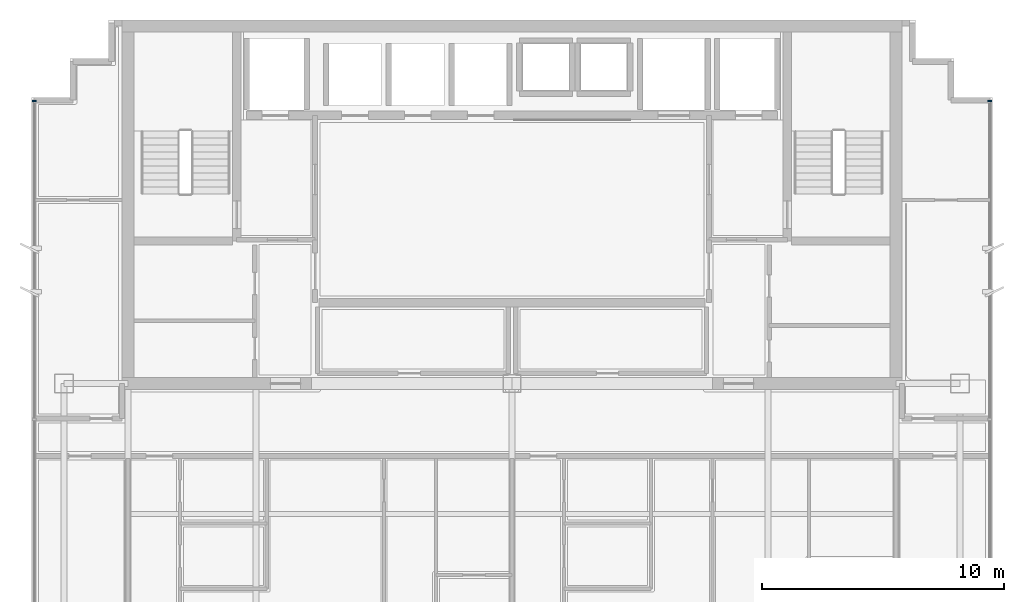
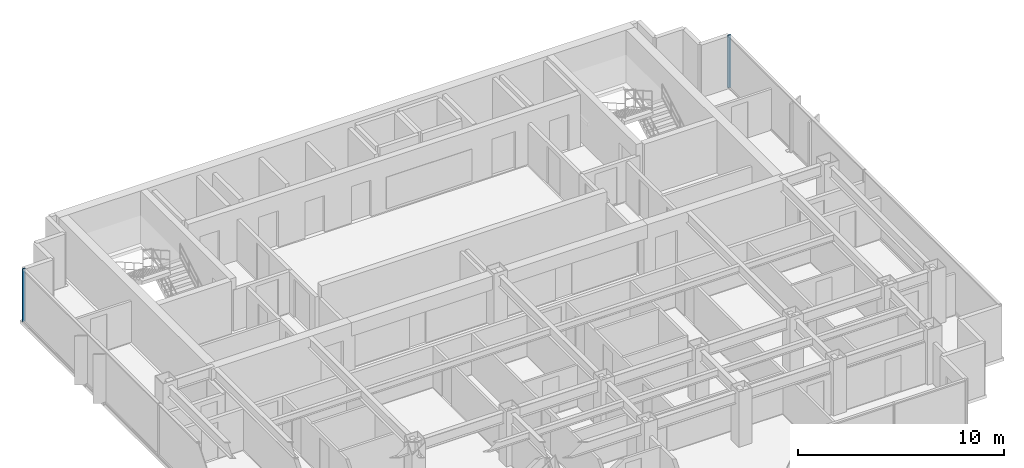
# One storey, part 5 of 12: 2 members, 2 elements without a shape of their own.
"""IFC4 building model written with IfcOpenShell, lengths in metres."""

import ifcopenshell
import ifcopenshell.guid

model = None  # the IFC model being written
_history = None  # IfcOwnerHistory: only IFC2X3 demands one
_inside = {}  # id of a spatial element -> (the spatial element, [elements in it])
_under = {}  # id of a project, library or spatial element -> (it, [spatial elements below it])
_declared = {}  # id of a project -> (the project, [libraries it declares])
_typed = {}  # id of a type object -> (the type object, [elements of that type])
_made_of = {}  # id of a material, layer set ... -> (it, [elements and type objects made of it])


def new_model(schema):
    """Start an empty IFC model of exactly this schema.

    Asked for "IFC4X3", IfcOpenShell would pick the latest addendum, in which some entities
    have other attributes; the version numbers below select the first issue.
    IFC2X3 requires an IfcOwnerHistory on every rooted entity: one is made here for all.
    """
    global model, _history
    if schema == "IFC4X3":
        model = ifcopenshell.file(schema_version=(4, 3, 0, 0))
    else:
        model = ifcopenshell.file(schema=schema)
    _inside.clear()
    _under.clear()
    _declared.clear()
    _typed.clear()
    _made_of.clear()
    _history = None
    if model.schema == "IFC2X3":
        org = make("IfcOrganization", Name="unknown")
        user = make(
            "IfcPersonAndOrganization",
            ThePerson=make("IfcPerson", FamilyName="unknown"),
            TheOrganization=org,
        )
        app = make(
            "IfcApplication",
            ApplicationDeveloper=org,
            Version="unknown",
            ApplicationFullName="unknown",
            ApplicationIdentifier="unknown",
        )
        _history = make(
            "IfcOwnerHistory",
            OwningUser=user,
            OwningApplication=app,
            ChangeAction="ADDED",
            CreationDate=0,
        )
    return model


def make(cls, **values):
    """One entity of the class cls with the attributes given. An attribute that is None is left unset."""
    return model.create_entity(
        cls, **{name: value for name, value in values.items() if value is not None}
    )


def rooted(cls, **values):
    """An entity with a GlobalId (a new one), such as an element, a storey or a relation."""
    return make(cls, GlobalId=ifcopenshell.guid.new(), OwnerHistory=_history, **values)


def si_unit(unit_type, name, prefix=None):
    """IfcSIUnit, for example si_unit("LENGTHUNIT", "METRE", prefix="MILLI")."""
    return make("IfcSIUnit", UnitType=unit_type, Prefix=prefix, Name=name)


def assignment(units):
    """IfcUnitAssignment: the units of a project."""
    return None if units is None else make("IfcUnitAssignment", Units=units)


def point(xyz):
    """IfcCartesianPoint."""
    return None if xyz is None else make("IfcCartesianPoint", Coordinates=xyz)


def direction(xyz):
    """IfcDirection."""
    return None if xyz is None else make("IfcDirection", DirectionRatios=xyz)


def frame(location, z_axis=None, x_axis=None):
    """IfcAxis2Placement3D, a coordinate frame: its origin and axes. An axis left out is left unset."""
    return make(
        "IfcAxis2Placement3D",
        Location=point(location),
        Axis=direction(z_axis),
        RefDirection=direction(x_axis),
    )


def frame_2d(location, x_axis=None):
    """IfcAxis2Placement2D, a coordinate frame in the plane: its origin and x axis."""
    return make(
        "IfcAxis2Placement2D", Location=point(location), RefDirection=direction(x_axis)
    )


def origin():
    """The frame at (0, 0, 0) with its axes left unset."""
    return frame((0.0, 0.0, 0.0))


def origin_2d():
    """The frame at (0, 0) in the plane with its x axis left unset."""
    return frame_2d((0.0, 0.0))


def place(relative_to, where):
    """IfcLocalPlacement: puts the frame where relative to a parent placement (None: the world)."""
    return make(
        "IfcLocalPlacement", PlacementRelTo=relative_to, RelativePlacement=where
    )


def context(
    kind, dimensions, precision=None, world=None, true_north=None, identifier=None
):
    """IfcGeometricRepresentationContext, for example the 3D "Model" context."""
    return make(
        "IfcGeometricRepresentationContext",
        ContextIdentifier=identifier,
        ContextType=kind,
        CoordinateSpaceDimension=dimensions,
        Precision=precision,
        WorldCoordinateSystem=world,
        TrueNorth=true_north,
    )


def subcontext(parent, identifier, kind, view, scale=None):
    """IfcGeometricRepresentationSubContext, for example "Body" below "Model"."""
    return make(
        "IfcGeometricRepresentationSubContext",
        ContextIdentifier=identifier,
        ContextType=kind,
        ParentContext=parent,
        TargetScale=scale,
        TargetView=view,
    )


def project(units=None, contexts=None):
    """IfcProject with its units and contexts."""
    return rooted(
        "IfcProject",
        Name="project",
        RepresentationContexts=contexts,
        UnitsInContext=assignment(units),
    )


def spatial(cls, under=None, at=None, **own):
    """A site, building, storey or space (cls), placed at a placement, below another one or the project."""
    s = rooted(cls, ObjectPlacement=at, **own)
    if under is not None:
        _under.setdefault(under.id(), (under, []))[1].append(s)
    return s


def profile(cls, at=None, kind="AREA", **sizes):
    """A parametric profile (cls). Its sizes go by their IFC names, for example OverallWidth=200.0."""
    return make(cls, ProfileType=kind, Position=at, **sizes)


def rectangle(**sizes):
    """IfcRectangleProfileDef."""
    return profile("IfcRectangleProfileDef", **sizes)


def extrude(swept, where, along, depth):
    """IfcExtrudedAreaSolid: the profile swept, set in the frame where, extruded along a direction by depth."""
    return make(
        "IfcExtrudedAreaSolid",
        SweptArea=swept,
        Position=where,
        ExtrudedDirection=direction(along),
        Depth=depth,
    )


def shape(context_of_items, identifier, shape_type, items):
    """IfcShapeRepresentation: the items that make up one representation, for example the "Body"."""
    return make(
        "IfcShapeRepresentation",
        ContextOfItems=context_of_items,
        RepresentationIdentifier=identifier,
        RepresentationType=shape_type,
        Items=items,
    )


def source(mapping_origin, context_of_items, identifier, shape_type, items):
    """IfcRepresentationMap: a shape defined once, which mapped items show again and again."""
    return make(
        "IfcRepresentationMap",
        MappingOrigin=mapping_origin,
        MappedRepresentation=shape(context_of_items, identifier, shape_type, items),
    )


def transform(
    local_origin,
    x_axis=None,
    y_axis=None,
    z_axis=None,
    scale=None,
    scale2=None,
    scale3=None,
    uniform=True,
):
    """IfcCartesianTransformationOperator3D, or its non-uniform kind. x_axis, y_axis, z_axis: its Axis1, 2, 3."""
    if uniform:
        return make(
            "IfcCartesianTransformationOperator3D",
            Axis1=direction(x_axis),
            Axis2=direction(y_axis),
            LocalOrigin=point(local_origin),
            Scale=scale,
            Axis3=direction(z_axis),
        )
    return make(
        "IfcCartesianTransformationOperator3DnonUniform",
        Axis1=direction(x_axis),
        Axis2=direction(y_axis),
        LocalOrigin=point(local_origin),
        Scale=scale,
        Axis3=direction(z_axis),
        Scale2=scale2,
        Scale3=scale3,
    )


def mapped(mapping_source, mapping_target):
    """IfcMappedItem: shows the shape of a source again, moved by a transform."""
    return make(
        "IfcMappedItem", MappingSource=mapping_source, MappingTarget=mapping_target
    )


def material(Name=None, Category=None):
    """IfcMaterial."""
    return make("IfcMaterial", Name=Name, Category=Category)


def layer(
    of_material, thickness, ventilated=None, Name=None, Category=None, Priority=None
):
    """IfcMaterialLayer: one layer of a wall or slab, of a material (None: an air gap)."""
    return make(
        "IfcMaterialLayer",
        Material=of_material,
        LayerThickness=thickness,
        IsVentilated=ventilated,
        Name=Name,
        Category=Category,
        Priority=Priority,
    )


def layer_set(layers, Name=None):
    """IfcMaterialLayerSet."""
    return make("IfcMaterialLayerSet", MaterialLayers=layers, LayerSetName=Name)


def material_profile(
    of_material, cross_section, Name=None, Category=None, Priority=None
):
    """IfcMaterialProfile: a cross section and its material."""
    return make(
        "IfcMaterialProfile",
        Name=Name,
        Material=of_material,
        Profile=cross_section,
        Priority=Priority,
        Category=Category,
    )


def profile_set(profiles, Name=None, composite=None):
    """IfcMaterialProfileSet."""
    return make(
        "IfcMaterialProfileSet",
        Name=Name,
        MaterialProfiles=profiles,
        CompositeProfile=composite,
    )


def made_of(thing, what):
    """Note that an element or type object is made of a material, layer set ...; save() writes the relation."""
    if what is not None:
        _made_of.setdefault(what.id(), (what, []))[1].append(thing)
    return thing


def type_object(cls, material=None, **own):
    """A type object (cls), such as IfcWallType, which elements share."""
    return made_of(rooted(cls, **own), material)


def element(
    cls,
    number,
    at=None,
    inside=None,
    cuts=None,
    type_object=None,
    material=None,
    context=None,
    identifier="Body",
    shape_type=None,
    held_by="IfcProductDefinitionShape",
    body=None,
    shapes=None,
    **own,
):
    """One element of the class cls, such as IfcWall. Its Tag is "e" and its number.

    at: its placement. inside: the storey or other place that contains it. cuts: it is an
    opening in that element (IfcRelVoidsElement). A single representation is given by context,
    identifier, shape_type and body (its items); several are given by shapes. held_by: the class
    of the entity that holds the representations. save() writes the other relations.
    """
    e = rooted(cls, Tag="e%d" % number, ObjectPlacement=at, **own)
    if body is not None:
        shapes = [shape(context, identifier, shape_type, body)]
    if shapes is not None:
        e.Representation = make(held_by, Representations=shapes)
    if inside is not None:
        _inside.setdefault(inside.id(), (inside, []))[1].append(e)
    if cuts is not None:
        rooted(
            "IfcRelVoidsElement", RelatingBuildingElement=cuts, RelatedOpeningElement=e
        )
    if type_object is not None:
        _typed.setdefault(type_object.id(), (type_object, []))[1].append(e)
    return made_of(e, material)


def aggregate(whole, parts):
    """IfcRelAggregates: a whole, such as a stair, and the parts it consists of."""
    return rooted("IfcRelAggregates", RelatingObject=whole, RelatedObjects=parts)


def save(model, path):
    """Write the relations noted so far, then the file.

    IfcRelAggregates (storeys below a building ...), IfcRelContainedInSpatialStructure (elements
    in a storey), IfcRelDefinesByType, IfcRelAssociatesMaterial and IfcRelDeclares: one each for
    every whole, place, type object, material and project.
    """
    for whole, parts in _under.values():
        aggregate(whole, parts)
    for where, things in _inside.values():
        rooted(
            "IfcRelContainedInSpatialStructure",
            RelatedElements=things,
            RelatingStructure=where,
        )
    for kind, things in _typed.values():
        rooted("IfcRelDefinesByType", RelatedObjects=things, RelatingType=kind)
    for what, things in _made_of.values():
        rooted("IfcRelAssociatesMaterial", RelatedObjects=things, RelatingMaterial=what)
    for by, libraries in _declared.values():
        rooted("IfcRelDeclares", RelatingContext=by, RelatedDefinitions=libraries)
    model.write(path)


model = new_model("IFC4")

# Units and contexts
model_context = context("Model", 3, precision=1e-05, world=origin(), true_north=direction((0.0, 1.0)))
body_context = subcontext(model_context, "Body", "Model", "MODEL_VIEW")
ifc_project = project(units=[si_unit("LENGTHUNIT", "METRE"), si_unit("AREAUNIT", "SQUARE_METRE"), si_unit("VOLUMEUNIT", "CUBIC_METRE"), si_unit("PLANEANGLEUNIT", "RADIAN"), si_unit("MASSUNIT", "GRAM", prefix="KILO")], contexts=[model_context])

# Site, building, storey
site_placement = place(None, origin())
site = spatial("IfcSite", under=ifc_project, at=site_placement, CompositionType="ELEMENT")
building_placement = place(site_placement, origin())
building = spatial("IfcBuilding", under=site, at=building_placement, Name="Qianlan Lanfeng Residences", CompositionType="ELEMENT")
storey_placement = place(building_placement, frame((0.0, 0.0, 219.800048828125)))
storey = spatial("IfcBuildingStorey", under=building, at=storey_placement, Name="L60", CompositionType="ELEMENT", Elevation=219.800048828125)

# Curtain wall, member
ifc_material = material(Name="Anodised Bronze Aluminium 6063-T6", Category="aluminium")
ifc_layer = layer(ifc_material, 0.219970703125)
ifc_layer_set = layer_set([ifc_layer], Name="Anodised Bronze Aluminium 6063-T6")
curtain_wall_type = type_object("IfcCurtainWallType", Name="CW-05", PredefinedType="NOTDEFINED", material=ifc_layer_set)
curtain_wall_1_placement = place(storey_placement, origin())
curtain_wall_1 = element("IfcCurtainWall", 1, at=curtain_wall_1_placement, inside=storey, type_object=curtain_wall_type, Name="L60 Unitised Curtain Wall CWR-L60-04 (CW-05)", PredefinedType="NOTDEFINED")
ifc_material_profile = material_profile(ifc_material, rectangle(XDim=0.074951171875, YDim=0.179931640625, at=origin_2d()), Name="ALU MULLION 75x180")
ifc_profile_set = profile_set([ifc_material_profile], Name="Anodised Bronze Aluminium 6063-T6")
member_type = type_object("IfcMemberType", Name="CWM-180", PredefinedType="MULLION", material=ifc_profile_set)
shared_shape = source(origin(), body_context, "Body", "SweptSolid", [
    extrude(rectangle(XDim=0.074951171875, YDim=0.179931640625, at=origin_2d()), origin(), (0.0, 0.0, 1.0), 3.10986328125),
])
member_1_placement = place(storey_placement, frame((46.280029296875, 36.892578125, 0.0), z_axis=(0.0, 0.0, 1.0), x_axis=(0.0, 1.0, 0.0)))
member_1 = element("IfcMember", 2, at=member_1_placement, type_object=member_type, Name="CWR-L60-04 Mullion 3", PredefinedType="MULLION", context=body_context, shape_type="MappedRepresentation", body=[
    mapped(shared_shape, transform((0.0, 0.0, 0.0), scale=1.0)),
])
aggregate(curtain_wall_1, [member_1])

curtain_wall_2_placement = place(storey_placement, origin())
curtain_wall_2 = element("IfcCurtainWall", 3, at=curtain_wall_2_placement, inside=storey, type_object=curtain_wall_type, Name="L60 Unitised Curtain Wall CWR-L60-05 (CW-05)", PredefinedType="NOTDEFINED")
member_2_placement = place(storey_placement, frame((6.719970703125, 36.892578125, 0.0), z_axis=(0.0, 0.0, 1.0), x_axis=(0.0, -1.0, 0.0)))
member_2 = element("IfcMember", 4, at=member_2_placement, type_object=member_type, Name="CWR-L60-05 Mullion 1", PredefinedType="MULLION", context=body_context, shape_type="MappedRepresentation", body=[
    mapped(shared_shape, transform((0.0, 0.0, 0.0), scale=1.0)),
])
aggregate(curtain_wall_2, [member_2])

save(model, "model.ifc")
